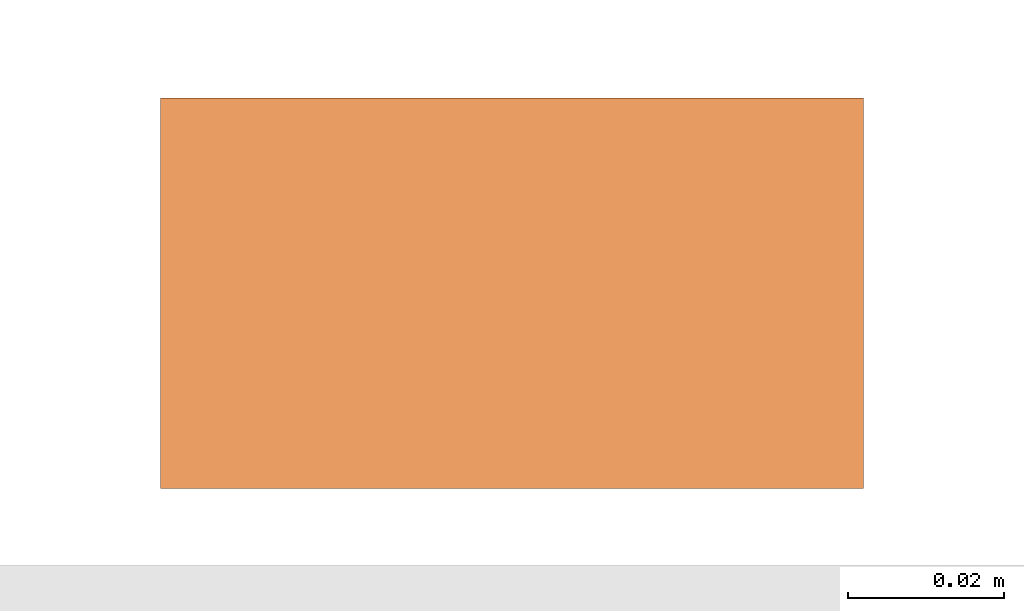
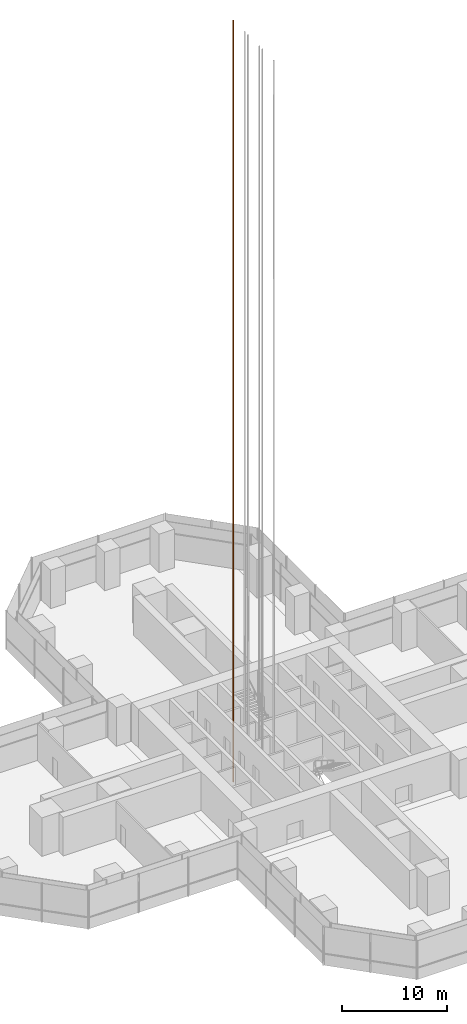
# One storey, part 27 of 27: 1 proxy.
"""IFC4 building model written with IfcOpenShell, lengths in metres."""

from ifc_helpers import new_model, si_unit, direction, frame, origin, origin_2d, place, context, subcontext, project, spatial, rectangle, extrude, material, element, save


model = new_model("IFC4")

# Units and contexts
model_context = context("Model", 3, precision=1e-05, world=origin(), true_north=direction((0.0, 1.0)))
body_context = subcontext(model_context, "Body", "Model", "MODEL_VIEW")
ifc_project = project(units=[si_unit("LENGTHUNIT", "METRE"), si_unit("AREAUNIT", "SQUARE_METRE"), si_unit("VOLUMEUNIT", "CUBIC_METRE"), si_unit("PLANEANGLEUNIT", "RADIAN"), si_unit("MASSUNIT", "GRAM", prefix="KILO")], contexts=[model_context])

# Site, building, storey
site_placement = place(None, origin())
site = spatial("IfcSite", under=ifc_project, at=site_placement, CompositionType="ELEMENT")
building_placement = place(site_placement, origin())
building = spatial("IfcBuilding", under=site, at=building_placement, Name="Mizan Broadcast Tower", CompositionType="ELEMENT")
storey_placement = place(building_placement, frame((0.0, 0.0, 113.699951171875)))
storey = spatial("IfcBuildingStorey", under=building, at=storey_placement, Name="L25", CompositionType="ELEMENT", Elevation=113.699951171875)

# Proxy
ifc_material = material(Name="Steel guide rail", Category="steel")
proxy_placement = place(storey_placement, frame((-3.324951171875, 5.260009765625, -3.89990234375), z_axis=(0.0, 0.0, 1.0), x_axis=(1.0, 0.0, 0.0)))
element("IfcBuildingElementProxy", 1, at=proxy_placement, inside=storey, material=ifc_material, Name="Guide rail LB3-2", PredefinedType="NOTDEFINED", context=body_context, shape_type="SweptSolid", body=[
    extrude(rectangle(XDim=0.090087890625, YDim=0.050048828125, at=origin_2d()), origin(), (0.0, 0.0, 1.0), 88.8701171875),
])

save(model, "model.ifc")
